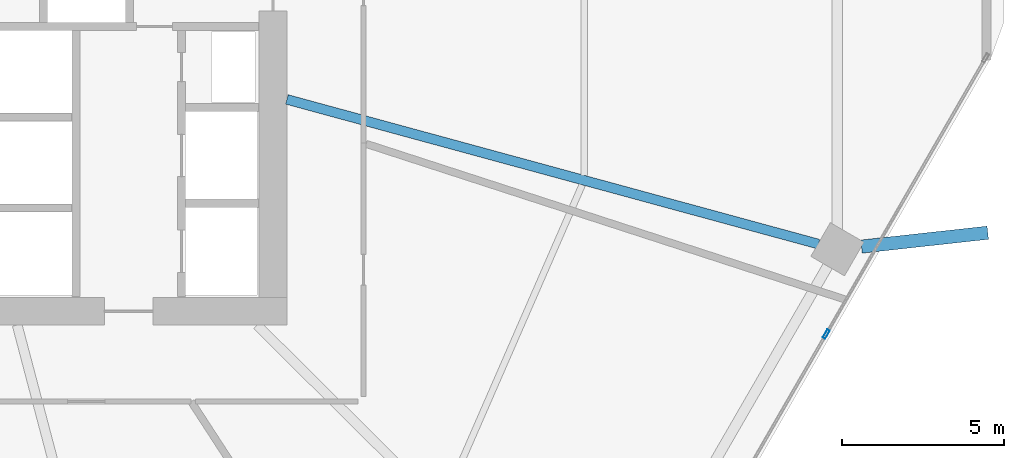
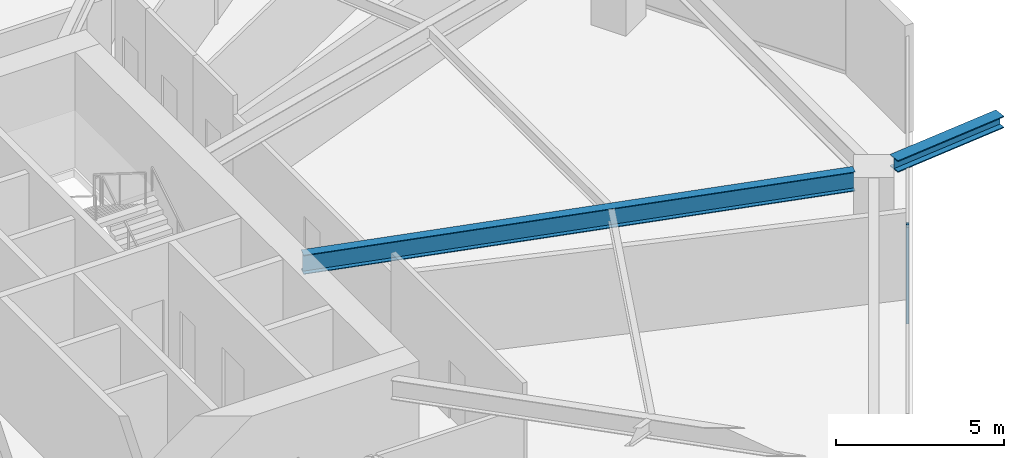
# One storey, part 11 of 25: 2 beams, 1 member, 1 element without a shape of its own.
"""IFC4 building model written with IfcOpenShell, lengths in metres."""

from ifc_helpers import new_model, si_unit, direction, frame, origin, origin_2d, place, context, subcontext, project, spatial, hollow_rectangle, i_section, extrude, material, material_profile, profile_set, type_object, element, aggregate, save


model = new_model("IFC4")

# Units and contexts
model_context = context("Model", 3, precision=1e-05, world=origin(), true_north=direction((0.0, 1.0)))
body_context = subcontext(model_context, "Body", "Model", "MODEL_VIEW")
ifc_project = project(units=[si_unit("LENGTHUNIT", "METRE"), si_unit("AREAUNIT", "SQUARE_METRE"), si_unit("VOLUMEUNIT", "CUBIC_METRE"), si_unit("PLANEANGLEUNIT", "RADIAN"), si_unit("MASSUNIT", "GRAM", prefix="KILO")], contexts=[model_context])

# Site, building, storey
site_placement = place(None, origin())
site = spatial("IfcSite", under=ifc_project, at=site_placement, CompositionType="ELEMENT")
building_placement = place(site_placement, origin())
building = spatial("IfcBuilding", under=site, at=building_placement, Name="Zuhravey Tower", CompositionType="ELEMENT")
storey_placement = place(building_placement, frame((0.0, 0.0, 20.39990234375)))
storey = spatial("IfcBuildingStorey", under=building, at=storey_placement, Name="L05", CompositionType="ELEMENT", Elevation=20.39990234375)

# Curtain wall, member
ifc_material_1 = material(Name="Thermally broken anodised aluminium", Category="aluminium")
curtain_wall_type = type_object("IfcCurtainWallType", Name="School Low-E Unitised Curtain Wall CW1", PredefinedType="NOTDEFINED", material=ifc_material_1)
curtain_wall_placement = place(storey_placement, origin())
curtain_wall = element("IfcCurtainWall", 1, at=curtain_wall_placement, inside=storey, type_object=curtain_wall_type, Name="L05 CW1 CW-L05-F6-1", PredefinedType="NOTDEFINED")
ifc_material_2 = material(Name="Anodised aluminium", Category="aluminium")
ifc_material_profile_1 = material_profile(ifc_material_2, hollow_rectangle(XDim=0.090087890625, YDim=0.284912109375, WallThickness=0.0048828125, at=origin_2d()), Name="ALU-RHS-90x285x5")
ifc_profile_set_1 = profile_set([ifc_material_profile_1], Name="Anodised aluminium")
member_type = type_object("IfcMemberType", Name="Curtain-Wall Mullion 90x180", PredefinedType="MULLION", material=ifc_profile_set_1)
member_placement = place(storey_placement, frame((63.54541015625, 21.79296875, 0.0), z_axis=(0.0, 0.0, 1.0), x_axis=(0.86602552265, -0.499999794119, 0.0)))
member = element("IfcMember", 2, at=member_placement, type_object=member_type, Name="CW1 mullion 2", PredefinedType="MULLION", context=body_context, shape_type="SweptSolid", body=[
    extrude(hollow_rectangle(XDim=0.090087890625, YDim=0.284912109375, WallThickness=0.0048828125, at=origin_2d()), origin(), (0.0, 0.0, 1.0), 3.4921875),
])
aggregate(curtain_wall, [member])

# Beams
ifc_material_3 = material(Name="Steel SM460", Category="steel")
ifc_material_profile_2 = material_profile(ifc_material_3, i_section(OverallWidth=0.406982421875, OverallDepth=0.427978515625, WebThickness=0.02001953125, FlangeThickness=0.034912109375, at=origin_2d()), Name="H-428x407x20x35")
ifc_profile_set_2 = profile_set([ifc_material_profile_2], Name="Steel SM460")
beam_type_1 = type_object("IfcBeamType", Name="Exoskeleton Node Tie Beam H428x407", PredefinedType="BEAM", material=ifc_profile_set_2)
beam_1_placement = place(storey_placement, frame((64.6328125, 24.490234375, 3.7060546875), z_axis=(0.994007881498, 0.109308423825, 0.0), x_axis=(-0.109308423825, 0.994007881498, 0.0)))
element("IfcBeam", 3, at=beam_1_placement, inside=storey, type_object=beam_type_1, Name="L05 Exoskeleton Node Tie NT1-12", PredefinedType="BEAM", context=body_context, shape_type="SweptSolid", body=[
    extrude(i_section(OverallWidth=0.406982421875, OverallDepth=0.427978515625, WebThickness=0.02001953125, FlangeThickness=0.034912109375, at=origin_2d()), origin(), (0.0, 0.0, 1.0), 3.9130859375),
])
ifc_material_4 = material(Name="Steel SM355", Category="steel")
ifc_material_profile_3 = material_profile(ifc_material_4, i_section(OverallWidth=0.300048828125, OverallDepth=0.699951171875, WebThickness=0.012939453125, FlangeThickness=0.02392578125, at=origin_2d()), Name="H-700x300x13x24")
ifc_profile_set_3 = profile_set([ifc_material_profile_3], Name="Steel SM355")
beam_type_2 = type_object("IfcBeamType", Name="Radial Primary Girder H700x300", PredefinedType="BEAM", material=ifc_profile_set_3)
beam_2_placement = place(storey_placement, frame((46.927978515625, 29.025390625, 3.570068359375), z_axis=(0.964892480455, -0.26264520015, 0.0), x_axis=(0.26264520015, 0.964892480455, 0.0)))
element("IfcBeam", 4, at=beam_2_placement, inside=storey, type_object=beam_type_2, Name="L05 RG1 BM-L05-RAD-12", PredefinedType="BEAM", context=body_context, shape_type="SweptSolid", body=[
    extrude(i_section(OverallWidth=0.300048828125, OverallDepth=0.699951171875, WebThickness=0.012939453125, FlangeThickness=0.02392578125, at=origin_2d()), origin(), (0.0, 0.0, 1.0), 16.975341796875),
])

save(model, "model.ifc")
